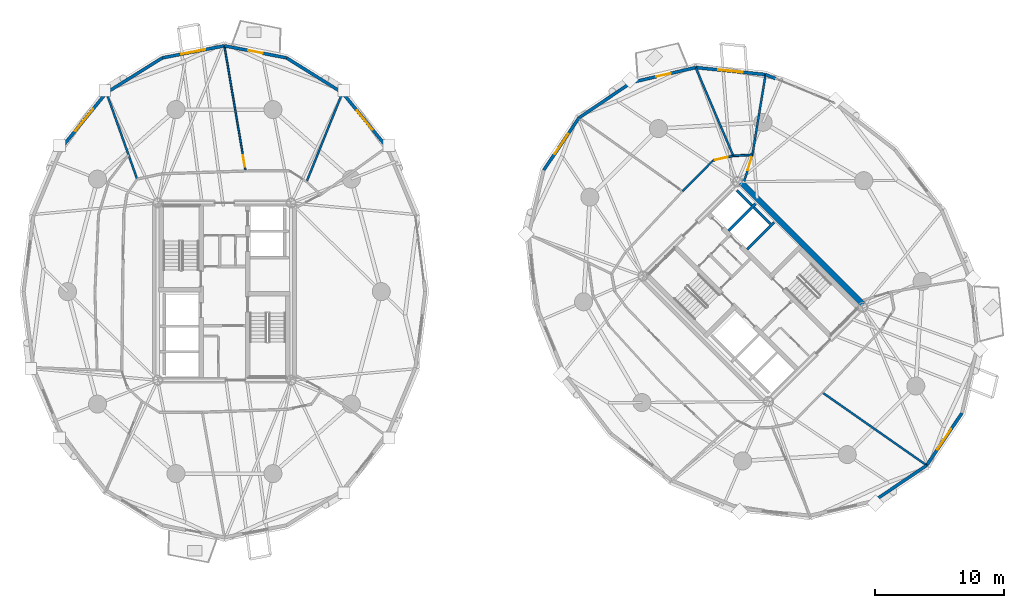
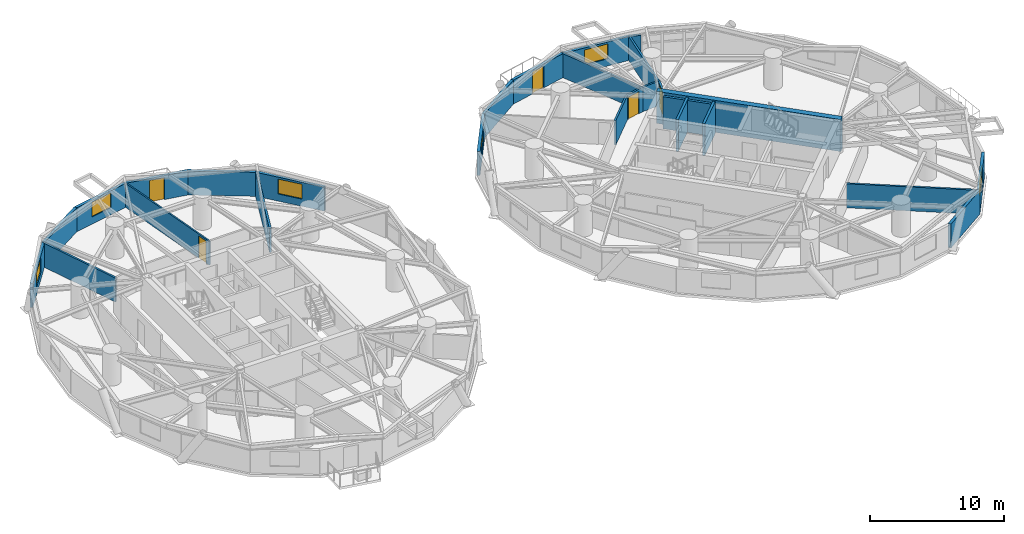
# One storey, part 14 of 18: 28 walls, 6 windows, 5 doors, 11 openings.
"""IFC4 building model written with IfcOpenShell, lengths in metres."""

from ifc_helpers import new_model, si_unit, direction, frame, frame_2d, origin, place, context, subcontext, project, spatial, rectangle, extrude, source, transform, mapped, material, layer, layer_set, type_object, element, fill, save


model = new_model("IFC4")

# Units and contexts
model_context = context("Model", 3, precision=1e-05, world=origin(), true_north=direction((0.0, 1.0)))
body_context = subcontext(model_context, "Body", "Model", "MODEL_VIEW")
ifc_project = project(units=[si_unit("LENGTHUNIT", "METRE"), si_unit("AREAUNIT", "SQUARE_METRE"), si_unit("VOLUMEUNIT", "CUBIC_METRE"), si_unit("PLANEANGLEUNIT", "RADIAN"), si_unit("MASSUNIT", "GRAM", prefix="KILO")], contexts=[model_context])

# Site, building, storey
site_placement = place(None, origin())
site = spatial("IfcSite", under=ifc_project, at=site_placement, CompositionType="ELEMENT")
building_placement = place(site_placement, origin())
building = spatial("IfcBuilding", under=site, at=building_placement, Name="Cununo Teusaquillo Station Towers", CompositionType="ELEMENT")
storey_placement = place(building_placement, frame((0.0, 0.0, 119.6201171875)))
storey = spatial("IfcBuildingStorey", under=building, at=storey_placement, Name="L38", CompositionType="ELEMENT", Elevation=119.6201171875)

# Walls
ifc_material_1 = material(Name="Concrete C50/60", Category="concrete")
ifc_layer_1 = layer(ifc_material_1, 0.199951171875)
ifc_layer_set_1 = layer_set([ifc_layer_1], Name="Concrete C50/60")
wall_type_1 = type_object("IfcWallType", Name="WL-CORE-200", PredefinedType="SHEAR", material=ifc_layer_set_1)
wall_1_placement = place(storey_placement, frame((57.0615234375, 27.781005859375, 0.0), z_axis=(0.0, 0.0, 1.0), x_axis=(0.707106781187, 0.707106781187, 0.0)))
element("IfcWall", 1, at=wall_1_placement, inside=storey, type_object=wall_type_1, Name="L38 Tower B Low-Rise Lift Hoistway South Shear Wall", PredefinedType="SHEAR", context=body_context, shape_type="SweptSolid", body=[
    extrude(rectangle(XDim=2.969970703125, YDim=0.199951171875, at=frame_2d((1.48486328125, 0.0))), origin(), (0.0, 0.0, 1.0), 2.909912109375),
])
wall_2_placement = place(storey_placement, frame((55.615478515625, 29.22705078125, 0.0), z_axis=(0.0, 0.0, 1.0), x_axis=(0.707147878904, 0.70706568108, 0.0)))
element("IfcWall", 2, at=wall_2_placement, inside=storey, type_object=wall_type_1, Name="L38 Tower B Low-Rise Lift Hoistway Divider Shear Wall", PredefinedType="SHEAR", context=body_context, shape_type="SweptSolid", body=[
    extrude(rectangle(XDim=2.97021484375, YDim=0.199951171875, at=frame_2d((1.485107421875, 0.0))), origin(), (0.0, 0.0, 1.0), 2.909912109375),
])
wall_3_placement = place(storey_placement, frame((58.86474609375, 29.75390625, 0.0), z_axis=(0.0, 0.0, 1.0), x_axis=(-0.707174411312, 0.707039144592, 0.0)))
element("IfcWall", 3, at=wall_3_placement, inside=storey, type_object=wall_type_1, Name="L38 Tower B Low-Rise Lift 1 Shaft Rear Shear Wall", PredefinedType="SHEAR", context=body_context, shape_type="SweptSolid", body=[
    extrude(rectangle(XDim=1.804931640625, YDim=0.199951171875, at=frame_2d((0.90234375, 0.0))), origin(), (0.0, 0.0, 1.0), 2.909912109375),
])
wall_4_placement = place(storey_placement, frame((57.418701171875, 31.19970703125, 0.0), z_axis=(0.0, 0.0, 1.0), x_axis=(-0.707032117043, 0.707181437447, 0.0)))
element("IfcWall", 4, at=wall_4_placement, inside=storey, type_object=wall_type_1, Name="L38 Tower B Low-Rise Lift 2 Shaft Rear Shear Wall", PredefinedType="SHEAR", context=body_context, shape_type="SweptSolid", body=[
    extrude(rectangle(XDim=1.635009765625, YDim=0.199951171875, at=frame_2d((0.8173828125, 0.0))), origin(), (0.0, 0.0, 1.0), 2.909912109375),
])
ifc_material_2 = material(Name="Concrete C60/75", Category="concrete")
ifc_layer_2 = layer(ifc_material_2, 0.449951171875)
ifc_layer_set_2 = layer_set([ifc_layer_2], Name="Concrete C60/75")
wall_type_2 = type_object("IfcWallType", Name="WL-CORE-450", PredefinedType="SHEAR", material=ifc_layer_set_2)
wall_5_placement = place(storey_placement, frame((66.303466796875, 23.2626953125, 0.0), z_axis=(0.0, 0.0, 1.0), x_axis=(-0.707106781187, 0.707106781187, 0.0)))
element("IfcWall", 5, at=wall_5_placement, inside=storey, type_object=wall_type_2, Name="L38 Tower B Core Shear Wall E", PredefinedType="SHEAR", context=body_context, shape_type="SweptSolid", body=[
    extrude(rectangle(XDim=14.19970703125, YDim=0.449951171875, at=frame_2d((7.099853515625, 0.0))), origin(), (0.0, 0.0, 1.0), 2.909912109375),
])

# Wall, opening, window
ifc_material_3 = material(Name="Precast concrete C40/50", Category="concrete")
ifc_layer_3 = layer(ifc_material_3, 0.239990234375)
ifc_layer_set_3 = layer_set([ifc_layer_3], Name="Precast concrete C40/50")
wall_type_3 = type_object("IfcWallType", Name="WL-EXT-240", PredefinedType="SOLIDWALL", material=ifc_layer_set_3)
wall_6_placement = place(storey_placement, frame((25.658203125, 39.927978515625, 0.0), z_axis=(0.0, 0.0, 1.0), x_axis=(0.632700781152, -0.77439635945, 0.0)))
wall_6 = element("IfcWall", 6, at=wall_6_placement, inside=storey, type_object=wall_type_3, Name="L38 Tower A Exterior Facade Wall C02", PredefinedType="SOLIDWALL", context=body_context, shape_type="SweptSolid", body=[
    extrude(rectangle(XDim=5.447998046875, YDim=0.239990234375, at=frame_2d((2.72412109375, 0.0))), origin(), (0.0, 0.0, 1.0), 2.178955078125),
])
shared_shape_1 = source(origin(), body_context, "Body", "SweptSolid", [
    extrude(rectangle(XDim=1.89990234375, YDim=1.35009765625, at=frame_2d((0.949951171875, 0.675048828125))), frame((0.0, 0.1298828125, 0.0), z_axis=(0.0, -1.0, 0.0), x_axis=(1.0, 0.0, 0.0)), (0.0, 0.0, 1.0), 0.260009765625),
])
opening_1_placement = place(wall_6_placement, frame((1.77392578125, 0.0, 0.64990234375)))
opening_1 = element("IfcOpeningElement", 7, at=opening_1_placement, cuts=wall_6, Name="Opening WN-02", PredefinedType="OPENING", context=body_context, shape_type="MappedRepresentation", body=[
    mapped(shared_shape_1, transform((0.0, 0.0, 0.0), x_axis=(1.0, 0.0, 0.0), y_axis=(0.0, 1.0, 0.0), z_axis=(0.0, 0.0, 1.0), scale=1.0)),
])
ifc_material_4 = material(Name="Operable acoustic tinted low-E double glazing", Category="glass")
window_type_1 = type_object("IfcWindowType", Name="WIN-OPER-1900", PartitioningType="DOUBLE_PANEL_VERTICAL", PredefinedType="WINDOW", material=ifc_material_4)
shared_shape_2 = source(origin(), body_context, "Body", "SweptSolid", [
    extrude(rectangle(XDim=1.89990234375, YDim=1.35009765625, at=frame_2d((0.949951171875, 0.675048828125))), frame((0.0, 0.030029296875, 0.0), z_axis=(0.0, -1.0, 0.0), x_axis=(1.0, 0.0, 0.0)), (0.0, 0.0, 1.0), 0.06005859375),
])
window_1_placement = place(opening_1_placement, origin())
window_1 = element("IfcWindow", 8, at=window_1_placement, inside=storey, type_object=window_type_1, Name="L38 Tower A Facade Window C02", OverallHeight=1.35009765625, OverallWidth=1.89990234375, PartitioningType="DOUBLE_PANEL_VERTICAL", PredefinedType="WINDOW", context=body_context, shape_type="MappedRepresentation", body=[
    mapped(shared_shape_2, transform((0.0, 0.0, 0.0), x_axis=(1.0, 0.0, 0.0), y_axis=(0.0, 1.0, 0.0), z_axis=(0.0, 0.0, 1.0), scale=1.0)),
])
fill(opening_1, window_1)

# Wall
wall_7_placement = place(storey_placement, frame((21.314697265625, 42.63671875, 0.0), z_axis=(0.0, 0.0, 1.0), x_axis=(0.848520380187, -0.529162701263, 0.0)))
element("IfcWall", 9, at=wall_7_placement, inside=storey, type_object=wall_type_3, Name="L38 Tower A Exterior Facade Wall C03", PredefinedType="SOLIDWALL", context=body_context, shape_type="SweptSolid", body=[
    extrude(rectangle(XDim=5.118896484375, YDim=0.239990234375, at=frame_2d((2.5595703125, 0.0))), origin(), (0.0, 0.0, 1.0), 2.178955078125),
])

# Wall, opening, door
wall_8_placement = place(storey_placement, frame((16.5, 43.570068359375, 0.0), z_axis=(0.0, 0.0, 1.0), x_axis=(0.981723785992, -0.190311344954, 0.0)))
wall_8 = element("IfcWall", 10, at=wall_8_placement, inside=storey, type_object=wall_type_3, Name="L38 Tower A Exterior Facade Wall C04", PredefinedType="SOLIDWALL", context=body_context, shape_type="SweptSolid", body=[
    extrude(rectangle(XDim=4.904296875, YDim=0.239990234375, at=frame_2d((2.4521484375, 0.0))), origin(), (0.0, 0.0, 1.0), 2.178955078125),
])
shared_shape_3 = source(origin(), body_context, "Body", "SweptSolid", [
    extrude(rectangle(XDim=1.14990234375, YDim=2.0048828125, at=frame_2d((0.574951171875, 1.00244140625))), frame((0.0, 0.1298828125, 0.0), z_axis=(0.0, -1.0, 0.0), x_axis=(1.0, 0.0, 0.0)), (0.0, 0.0, 1.0), 0.260009765625),
])
opening_2_placement = place(wall_8_placement, frame((1.876953125, 0.0, 0.0)))
opening_2 = element("IfcOpeningElement", 11, at=opening_2_placement, cuts=wall_8, Name="Opening ED-03", PredefinedType="OPENING", context=body_context, shape_type="MappedRepresentation", body=[
    mapped(shared_shape_3, transform((0.0, 0.0, 0.0), x_axis=(1.0, 0.0, 0.0), y_axis=(0.0, 1.0, 0.0), z_axis=(0.0, 0.0, 1.0), scale=1.0)),
])
ifc_material_5 = material(Name="Anodised dark bronze aluminium EN AW-6063-T6", Category="aluminium")
door_type_1 = type_object("IfcDoorType", Name="DR-EXT-BAL", OperationType="NOTDEFINED", PredefinedType="DOOR", material=ifc_material_5)
shared_shape_4 = source(origin(), body_context, "Body", "SweptSolid", [
    extrude(rectangle(XDim=1.14990234375, YDim=2.0048828125, at=frame_2d((0.574951171875, 1.00244140625))), frame((0.0, 0.02490234375, 0.0), z_axis=(0.0, -1.0, 0.0), x_axis=(1.0, 0.0, 0.0)), (0.0, 0.0, 1.0), 0.050048828125),
])
door_1_placement = place(opening_2_placement, origin())
door_1 = element("IfcDoor", 12, at=door_1_placement, inside=storey, type_object=door_type_1, Name="L38 Tower A Tree Balcony Door C04", OperationType="SINGLE_SWING_LEFT", OverallHeight=2.0048828125, OverallWidth=1.14990234375, PredefinedType="DOOR", context=body_context, shape_type="MappedRepresentation", body=[
    mapped(shared_shape_4, transform((0.0, 0.0, 0.0), x_axis=(1.0, 0.0, 0.0), y_axis=(0.0, 1.0, 0.0), z_axis=(0.0, 0.0, 1.0), scale=1.0)),
])
fill(opening_2, door_1)

# Wall, opening, window
wall_9_placement = place(storey_placement, frame((11.685302734375, 42.63671875, 0.0), z_axis=(0.0, 0.0, 1.0), x_axis=(0.981723785992, 0.190311344954, 0.0)))
wall_9 = element("IfcWall", 13, at=wall_9_placement, inside=storey, type_object=wall_type_3, Name="L38 Tower A Exterior Facade Wall C05", PredefinedType="SOLIDWALL", context=body_context, shape_type="SweptSolid", body=[
    extrude(rectangle(XDim=4.904296875, YDim=0.239990234375, at=frame_2d((2.4521484375, 0.0))), origin(), (0.0, 0.0, 1.0), 2.178955078125),
])
opening_3_placement = place(wall_9_placement, frame((1.501953125, 0.0, 0.64990234375)))
opening_3 = element("IfcOpeningElement", 14, at=opening_3_placement, cuts=wall_9, Name="Opening WN-02", PredefinedType="OPENING", context=body_context, shape_type="MappedRepresentation", body=[
    mapped(shared_shape_1, transform((0.0, 0.0, 0.0), x_axis=(1.0, 0.0, 0.0), y_axis=(0.0, 1.0, 0.0), z_axis=(0.0, 0.0, 1.0), scale=1.0)),
])
window_2_placement = place(opening_3_placement, origin())
window_2 = element("IfcWindow", 15, at=window_2_placement, inside=storey, type_object=window_type_1, Name="L38 Tower A Facade Window C05", OverallHeight=1.35009765625, OverallWidth=1.89990234375, PartitioningType="DOUBLE_PANEL_VERTICAL", PredefinedType="WINDOW", context=body_context, shape_type="MappedRepresentation", body=[
    mapped(shared_shape_2, transform((0.0, 0.0, 0.0), x_axis=(1.0, 0.0, 0.0), y_axis=(0.0, 1.0, 0.0), z_axis=(0.0, 0.0, 1.0), scale=1.0)),
])
fill(opening_3, window_2)

# Wall
wall_10_placement = place(storey_placement, frame((7.341796875, 39.927978515625, 0.0), z_axis=(0.0, 0.0, 1.0), x_axis=(0.848520380187, 0.529162701263, 0.0)))
element("IfcWall", 16, at=wall_10_placement, inside=storey, type_object=wall_type_3, Name="L38 Tower A Exterior Facade Wall C06", PredefinedType="SOLIDWALL", context=body_context, shape_type="SweptSolid", body=[
    extrude(rectangle(XDim=5.118896484375, YDim=0.239990234375, at=frame_2d((2.5595703125, 0.0))), origin(), (0.0, 0.0, 1.0), 2.178955078125),
])

# Wall, opening, window
wall_11_placement = place(storey_placement, frame((3.894775390625, 35.708984375, 0.0), z_axis=(0.0, 0.0, 1.0), x_axis=(0.632700781152, 0.77439635945, 0.0)))
wall_11 = element("IfcWall", 17, at=wall_11_placement, inside=storey, type_object=wall_type_3, Name="L38 Tower A Exterior Facade Wall C07", PredefinedType="SOLIDWALL", context=body_context, shape_type="SweptSolid", body=[
    extrude(rectangle(XDim=5.447998046875, YDim=0.239990234375, at=frame_2d((2.72412109375, 0.0))), origin(), (0.0, 0.0, 1.0), 2.178955078125),
])
shared_shape_5 = source(origin(), body_context, "Body", "SweptSolid", [
    extrude(rectangle(XDim=2.199951171875, YDim=1.35009765625, at=frame_2d((1.10009765625, 0.675048828125))), frame((0.0, 0.1298828125, 0.0), z_axis=(0.0, -1.0, 0.0), x_axis=(1.0, 0.0, 0.0)), (0.0, 0.0, 1.0), 0.260009765625),
])
opening_4_placement = place(wall_11_placement, frame((1.6240234375, 0.0, 0.64990234375)))
opening_4 = element("IfcOpeningElement", 18, at=opening_4_placement, cuts=wall_11, Name="Opening WN-01", PredefinedType="OPENING", context=body_context, shape_type="MappedRepresentation", body=[
    mapped(shared_shape_5, transform((0.0, 0.0, 0.0), x_axis=(1.0, 0.0, 0.0), y_axis=(0.0, 1.0, 0.0), z_axis=(0.0, 0.0, 1.0), scale=1.0)),
])
ifc_material_6 = material(Name="Ceramic-fritted dark low-E double glazing", Category="glass")
window_type_2 = type_object("IfcWindowType", Name="WIN-FRIT-2200", PartitioningType="DOUBLE_PANEL_VERTICAL", PredefinedType="WINDOW", material=ifc_material_6)
shared_shape_6 = source(origin(), body_context, "Body", "SweptSolid", [
    extrude(rectangle(XDim=2.199951171875, YDim=1.35009765625, at=frame_2d((1.10009765625, 0.675048828125))), frame((0.0, 0.030029296875, 0.0), z_axis=(0.0, -1.0, 0.0), x_axis=(1.0, 0.0, 0.0)), (0.0, 0.0, 1.0), 0.06005859375),
])
window_3_placement = place(opening_4_placement, origin())
window_3 = element("IfcWindow", 19, at=window_3_placement, inside=storey, type_object=window_type_2, Name="L38 Tower A Facade Window C07", OverallHeight=1.35009765625, OverallWidth=2.199951171875, PartitioningType="DOUBLE_PANEL_VERTICAL", PredefinedType="WINDOW", context=body_context, shape_type="MappedRepresentation", body=[
    mapped(shared_shape_6, transform((0.0, 0.0, 0.0), x_axis=(1.0, 0.0, 0.0), y_axis=(0.0, 1.0, 0.0), z_axis=(0.0, 0.0, 1.0), scale=1.0)),
])
fill(opening_4, window_3)

# Wall
wall_12_placement = place(storey_placement, frame((58.4873046875, 41.33935546875, 0.0), z_axis=(0.0, 0.0, 1.0), x_axis=(0.924556017656, -0.381046152345, 0.0)))
element("IfcWall", 20, at=wall_12_placement, inside=storey, type_object=wall_type_3, Name="L38 Tower B Column Pier Cladding Wall C01-PA", PredefinedType="SOLIDWALL", context=body_context, shape_type="SweptSolid", body=[
    extrude(rectangle(XDim=0.8701171875, YDim=0.239990234375, at=frame_2d((0.43505859375, 0.0))), origin(), (0.0, 0.0, 1.0), 2.178955078125),
])

# Wall, opening, window
wall_13_placement = place(storey_placement, frame((53.066650390625, 41.885009765625, 0.0), z_axis=(0.0, 0.0, 1.0), x_axis=(0.994971754311, -0.10015591906, 0.0)))
wall_13 = element("IfcWall", 21, at=wall_13_placement, inside=storey, type_object=wall_type_3, Name="L38 Tower B Exterior Facade Wall C02", PredefinedType="SOLIDWALL", context=body_context, shape_type="SweptSolid", body=[
    extrude(rectangle(XDim=5.447998046875, YDim=0.239990234375, at=frame_2d((2.72412109375, 0.0))), origin(), (0.0, 0.0, 1.0), 2.178955078125),
])
opening_5_placement = place(wall_13_placement, frame((1.77392578125, 0.0, 0.64990234375)))
opening_5 = element("IfcOpeningElement", 22, at=opening_5_placement, cuts=wall_13, Name="Opening WN-02", PredefinedType="OPENING", context=body_context, shape_type="MappedRepresentation", body=[
    mapped(shared_shape_1, transform((0.0, 0.0, 0.0), x_axis=(1.0, 0.0, 0.0), y_axis=(0.0, 1.0, 0.0), z_axis=(0.0, 0.0, 1.0), scale=1.0)),
])
window_4_placement = place(opening_5_placement, origin())
window_4 = element("IfcWindow", 23, at=window_4_placement, inside=storey, type_object=window_type_1, Name="L38 Tower B Facade Window C02", OverallHeight=1.35009765625, OverallWidth=1.89990234375, PartitioningType="DOUBLE_PANEL_VERTICAL", PredefinedType="WINDOW", context=body_context, shape_type="MappedRepresentation", body=[
    mapped(shared_shape_2, transform((0.0, 0.0, 0.0), x_axis=(1.0, 0.0, 0.0), y_axis=(0.0, 1.0, 0.0), z_axis=(0.0, 0.0, 1.0), scale=1.0)),
])
fill(opening_5, window_4)

# Wall, opening, door
wall_14_placement = place(storey_placement, frame((48.080078125, 40.72900390625, 0.0), z_axis=(0.0, 0.0, 1.0), x_axis=(0.974165631126, 0.225834725257, 0.0)))
wall_14 = element("IfcWall", 24, at=wall_14_placement, inside=storey, type_object=wall_type_3, Name="L38 Tower B Exterior Facade Wall C03", PredefinedType="SOLIDWALL", context=body_context, shape_type="SweptSolid", body=[
    extrude(rectangle(XDim=5.118896484375, YDim=0.239990234375, at=frame_2d((2.5595703125, 0.0))), origin(), (0.0, 0.0, 1.0), 2.178955078125),
])
opening_6_placement = place(wall_14_placement, frame((1.98388671875, 0.0, 0.0)))
opening_6 = element("IfcOpeningElement", 25, at=opening_6_placement, cuts=wall_14, Name="Opening ED-03", PredefinedType="OPENING", context=body_context, shape_type="MappedRepresentation", body=[
    mapped(shared_shape_3, transform((0.0, 0.0, 0.0), x_axis=(1.0, 0.0, 0.0), y_axis=(0.0, 1.0, 0.0), z_axis=(0.0, 0.0, 1.0), scale=1.0)),
])
door_2_placement = place(opening_6_placement, origin())
door_2 = element("IfcDoor", 26, at=door_2_placement, inside=storey, type_object=door_type_1, Name="L38 Tower B Tree Balcony Door C03", OperationType="SINGLE_SWING_LEFT", OverallHeight=2.0048828125, OverallWidth=1.14990234375, PredefinedType="DOOR", context=body_context, shape_type="MappedRepresentation", body=[
    mapped(shared_shape_4, transform((0.0, 0.0, 0.0), x_axis=(1.0, 0.0, 0.0), y_axis=(0.0, 1.0, 0.0), z_axis=(0.0, 0.0, 1.0), scale=1.0)),
])
fill(opening_6, door_2)

# Wall
wall_15_placement = place(storey_placement, frame((44.015380859375, 37.984619140625, 0.0), z_axis=(0.0, 0.0, 1.0), x_axis=(0.828781148131, 0.559572880421, 0.0)))
element("IfcWall", 27, at=wall_15_placement, inside=storey, type_object=wall_type_3, Name="L38 Tower B Exterior Facade Wall C04", PredefinedType="SOLIDWALL", context=body_context, shape_type="SweptSolid", body=[
    extrude(rectangle(XDim=4.904541015625, YDim=0.239990234375, at=frame_2d((2.4521484375, 0.0))), origin(), (0.0, 0.0, 1.0), 2.178955078125),
])

# Wall, opening, window
wall_16_placement = place(storey_placement, frame((41.27099609375, 33.919921875, 0.0), z_axis=(0.0, 0.0, 1.0), x_axis=(0.559572880421, 0.828781148131, 0.0)))
wall_16 = element("IfcWall", 28, at=wall_16_placement, inside=storey, type_object=wall_type_3, Name="L38 Tower B Exterior Facade Wall C05", PredefinedType="SOLIDWALL", context=body_context, shape_type="SweptSolid", body=[
    extrude(rectangle(XDim=4.904541015625, YDim=0.239990234375, at=frame_2d((2.4521484375, 0.0))), origin(), (0.0, 0.0, 1.0), 2.178955078125),
])
opening_7_placement = place(wall_16_placement, frame((1.501953125, 0.0, 0.64990234375)))
opening_7 = element("IfcOpeningElement", 29, at=opening_7_placement, cuts=wall_16, Name="Opening WN-02", PredefinedType="OPENING", context=body_context, shape_type="MappedRepresentation", body=[
    mapped(shared_shape_1, transform((0.0, 0.0, 0.0), x_axis=(1.0, 0.0, 0.0), y_axis=(0.0, 1.0, 0.0), z_axis=(0.0, 0.0, 1.0), scale=1.0)),
])
window_5_placement = place(opening_7_placement, origin())
window_5 = element("IfcWindow", 30, at=window_5_placement, inside=storey, type_object=window_type_1, Name="L38 Tower B Facade Window C05", OverallHeight=1.35009765625, OverallWidth=1.89990234375, PartitioningType="DOUBLE_PANEL_VERTICAL", PredefinedType="WINDOW", context=body_context, shape_type="MappedRepresentation", body=[
    mapped(shared_shape_2, transform((0.0, 0.0, 0.0), x_axis=(1.0, 0.0, 0.0), y_axis=(0.0, 1.0, 0.0), z_axis=(0.0, 0.0, 1.0), scale=1.0)),
])
fill(opening_7, window_5)

# Wall
wall_17_placement = place(storey_placement, frame((70.984619140625, 11.015380859375, 0.0), z_axis=(0.0, 0.0, 1.0), x_axis=(-0.828781148131, -0.559572880421, 0.0)))
element("IfcWall", 31, at=wall_17_placement, inside=storey, type_object=wall_type_3, Name="L38 Tower B Exterior Facade Wall C14", PredefinedType="SOLIDWALL", context=body_context, shape_type="SweptSolid", body=[
    extrude(rectangle(XDim=4.904541015625, YDim=0.239990234375, at=frame_2d((2.4521484375, 0.0))), origin(), (0.0, 0.0, 1.0), 2.178955078125),
])

# Wall, opening, window
wall_18_placement = place(storey_placement, frame((73.72900390625, 15.080078125, 0.0), z_axis=(0.0, 0.0, 1.0), x_axis=(-0.559572880421, -0.828781148131, 0.0)))
wall_18 = element("IfcWall", 32, at=wall_18_placement, inside=storey, type_object=wall_type_3, Name="L38 Tower B Exterior Facade Wall C15", PredefinedType="SOLIDWALL", context=body_context, shape_type="SweptSolid", body=[
    extrude(rectangle(XDim=4.904541015625, YDim=0.239990234375, at=frame_2d((2.4521484375, 0.0))), origin(), (0.0, 0.0, 1.0), 2.178955078125),
])
opening_8_placement = place(wall_18_placement, frame((1.501953125, 0.0, 0.64990234375)))
opening_8 = element("IfcOpeningElement", 33, at=opening_8_placement, cuts=wall_18, Name="Opening WN-02", PredefinedType="OPENING", context=body_context, shape_type="MappedRepresentation", body=[
    mapped(shared_shape_1, transform((0.0, 0.0, 0.0), x_axis=(1.0, 0.0, 0.0), y_axis=(0.0, 1.0, 0.0), z_axis=(0.0, 0.0, 1.0), scale=1.0)),
])
window_6_placement = place(opening_8_placement, origin())
window_6 = element("IfcWindow", 34, at=window_6_placement, inside=storey, type_object=window_type_1, Name="L38 Tower B Facade Window C15", OverallHeight=1.35009765625, OverallWidth=1.89990234375, PartitioningType="DOUBLE_PANEL_VERTICAL", PredefinedType="WINDOW", context=body_context, shape_type="MappedRepresentation", body=[
    mapped(shared_shape_2, transform((0.0, 0.0, 0.0), x_axis=(1.0, 0.0, 0.0), y_axis=(0.0, 1.0, 0.0), z_axis=(0.0, 0.0, 1.0), scale=1.0)),
])
fill(opening_8, window_6)

# Wall, opening, door
ifc_material_7 = material(Name="Fire-rated gypsum plasterboard partition assembly", Category="gypsum")
ifc_layer_4 = layer(ifc_material_7, 0.125)
ifc_layer_set_4 = layer_set([ifc_layer_4], Name="Fire-rated gypsum plasterboard partition assembly")
wall_type_4 = type_object("IfcWallType", Name="WL-PART-125", PredefinedType="PARTITIONING", material=ifc_layer_set_4)
wall_19_placement = place(storey_placement, frame((18.142822265625, 33.859619140625, 0.0), z_axis=(0.0, 0.0, 1.0), x_axis=(-0.167145472003, 0.985932244725, 0.0)))
wall_19 = element("IfcWall", 35, at=wall_19_placement, inside=storey, type_object=wall_type_4, Name="L38 Tower A Executive C-Suite Corner Office Suite Subdividing Wall", PredefinedType="PARTITIONING", context=body_context, shape_type="SweptSolid", body=[
    extrude(rectangle(XDim=9.82861328125, YDim=0.125, at=frame_2d((4.914306640625, 0.0))), origin(), (0.0, 0.0, 1.0), 2.178955078125),
])
shared_shape_7 = source(origin(), body_context, "Body", "SweptSolid", [
    extrude(rectangle(XDim=0.89990234375, YDim=2.0048828125, at=frame_2d((0.449951171875, 1.00244140625))), frame((0.0, 0.072509765625, 0.0), z_axis=(0.0, -1.0, 0.0), x_axis=(1.0, 0.0, 0.0)), (0.0, 0.0, 1.0), 0.14501953125),
])
opening_9_placement = place(wall_19_placement, frame((0.330078125, 0.0, 0.0)))
opening_9 = element("IfcOpeningElement", 36, at=opening_9_placement, cuts=wall_19, Name="Opening D-IN1", PredefinedType="OPENING", context=body_context, shape_type="MappedRepresentation", body=[
    mapped(shared_shape_7, transform((0.0, 0.0, 0.0), x_axis=(1.0, 0.0, 0.0), y_axis=(0.0, 1.0, 0.0), z_axis=(0.0, 0.0, 1.0), scale=1.0)),
])
ifc_material_8 = material(Name="Acoustic solid-core hardwood leaf assembly", Category="wood")
door_type_2 = type_object("IfcDoorType", Name="DR-INT-900", OperationType="NOTDEFINED", PredefinedType="DOOR", material=ifc_material_8)
shared_shape_8 = source(origin(), body_context, "Body", "SweptSolid", [
    extrude(rectangle(XDim=0.89990234375, YDim=2.0048828125, at=frame_2d((0.449951171875, 1.00244140625))), frame((0.0, 0.02490234375, 0.0), z_axis=(0.0, -1.0, 0.0), x_axis=(1.0, 0.0, 0.0)), (0.0, 0.0, 1.0), 0.050048828125),
])
door_3_placement = place(opening_9_placement, origin())
door_3 = element("IfcDoor", 37, at=door_3_placement, inside=storey, type_object=door_type_2, Name="L38 Tower A Executive C-Suite Corner Office Suite Connecting Door", OperationType="SINGLE_SWING_RIGHT", OverallHeight=2.0048828125, OverallWidth=0.89990234375, PredefinedType="DOOR", context=body_context, shape_type="MappedRepresentation", body=[
    mapped(shared_shape_8, transform((0.0, 0.0, 0.0), x_axis=(1.0, 0.0, 0.0), y_axis=(0.0, 1.0, 0.0), z_axis=(0.0, 0.0, 1.0), scale=1.0)),
])
fill(opening_9, door_3)

# Wall
ifc_material_9 = material(Name="Fire-rated gypsum plasterboard partition assembly", Category="gypsum")
ifc_layer_5 = layer(ifc_material_9, 0.14990234375)
ifc_layer_set_5 = layer_set([ifc_layer_5], Name="Fire-rated gypsum plasterboard partition assembly")
wall_type_5 = type_object("IfcWallType", Name="WL-PART-150", PredefinedType="PARTITIONING", material=ifc_layer_set_5)
wall_20_placement = place(storey_placement, frame((57.466796875, 35.111328125, 0.0), z_axis=(0.0, 0.0, 1.0), x_axis=(-0.998691757323, -0.051134859488, 0.0)))
element("IfcWall", 38, at=wall_20_placement, inside=storey, type_object=wall_type_5, Name="L38 Tower B Corridor Ring Wall C02", PredefinedType="PARTITIONING", context=body_context, shape_type="SweptSolid", body=[
    extrude(rectangle(XDim=1.48486328125, YDim=0.14990234375, at=frame_2d((0.742431640625, 0.0))), origin(), (0.0, 0.0, 1.0), 2.224853515625),
])

# Wall, opening, door
wall_21_placement = place(storey_placement, frame((55.98388671875, 35.035400390625, 0.0), z_axis=(0.0, 0.0, 1.0), x_axis=(-0.975290305708, -0.22092718165, 0.0)))
wall_21 = element("IfcWall", 39, at=wall_21_placement, inside=storey, type_object=wall_type_5, Name="L38 Tower B Corridor Ring Wall C03", PredefinedType="PARTITIONING", context=body_context, shape_type="SweptSolid", body=[
    extrude(rectangle(XDim=1.596923828125, YDim=0.14990234375, at=frame_2d((0.79833984375, 0.0))), origin(), (0.0, 0.0, 1.0), 2.224853515625),
])
shared_shape_9 = source(origin(), body_context, "Body", "SweptSolid", [
    extrude(rectangle(XDim=1.050048828125, YDim=2.014892578125, at=frame_2d((0.52490234375, 1.00732421875))), frame((0.0, 0.0849609375, 0.0), z_axis=(0.0, -1.0, 0.0), x_axis=(1.0, 0.0, 0.0)), (0.0, 0.0, 1.0), 0.169921875),
])
opening_10_placement = place(wall_21_placement, frame((0.4267578125, 0.0, 0.0)))
opening_10 = element("IfcOpeningElement", 40, at=opening_10_placement, cuts=wall_21, Name="Opening D-SU1", PredefinedType="OPENING", context=body_context, shape_type="MappedRepresentation", body=[
    mapped(shared_shape_9, transform((0.0, 0.0, 0.0), x_axis=(1.0, 0.0, 0.0), y_axis=(0.0, 1.0, 0.0), z_axis=(0.0, 0.0, 1.0), scale=1.0)),
])
ifc_material_10 = material(Name="Acoustic solid-core hardwood leaf assembly", Category="wood")
door_type_3 = type_object("IfcDoorType", Name="DR-SUITE-1050", OperationType="NOTDEFINED", PredefinedType="DOOR", material=ifc_material_10)
shared_shape_10 = source(origin(), body_context, "Body", "SweptSolid", [
    extrude(rectangle(XDim=1.050048828125, YDim=2.014892578125, at=frame_2d((0.52490234375, 1.00732421875))), frame((0.0, 0.02490234375, 0.0), z_axis=(0.0, -1.0, 0.0), x_axis=(1.0, 0.0, 0.0)), (0.0, 0.0, 1.0), 0.050048828125),
])
door_4_placement = place(opening_10_placement, origin())
door_4 = element("IfcDoor", 41, at=door_4_placement, inside=storey, type_object=door_type_3, Name="L38 Tower B Executive C-Suite Corner Office Entrance Door", OperationType="SINGLE_SWING_LEFT", OverallHeight=2.014892578125, OverallWidth=1.050048828125, PredefinedType="DOOR", context=body_context, shape_type="MappedRepresentation", body=[
    mapped(shared_shape_10, transform((0.0, 0.0, 0.0), x_axis=(1.0, 0.0, 0.0), y_axis=(0.0, 1.0, 0.0), z_axis=(0.0, 0.0, 1.0), scale=1.0)),
])
fill(opening_10, door_4)

# Walls
wall_22_placement = place(storey_placement, frame((54.426513671875, 34.6826171875, 0.0), z_axis=(0.0, 0.0, 1.0), x_axis=(-0.704178989986, -0.710022499687, 0.0)))
element("IfcWall", 42, at=wall_22_placement, inside=storey, type_object=wall_type_5, Name="L38 Tower B Corridor Ring Wall C04", PredefinedType="PARTITIONING", context=body_context, shape_type="SweptSolid", body=[
    extrude(rectangle(XDim=3.38427734375, YDim=0.14990234375, at=frame_2d((1.692138671875, 0.0))), origin(), (0.0, 0.0, 1.0), 2.224853515625),
])
ifc_material_11 = material(Name="Fire-rated gypsum plasterboard partition assembly", Category="gypsum")
ifc_layer_6 = layer(ifc_material_11, 0.159912109375)
ifc_layer_set_6 = layer_set([ifc_layer_6], Name="Fire-rated gypsum plasterboard partition assembly")
wall_type_6 = type_object("IfcWallType", Name="WL-PART-160", PredefinedType="PARTITIONING", material=ifc_layer_set_6)
wall_23_placement = place(storey_placement, frame((22.87744140625, 33.021728515625, 0.0), z_axis=(0.0, 0.0, 1.0), x_axis=(0.372898022516, 0.927872332168, 0.0)))
element("IfcWall", 43, at=wall_23_placement, inside=storey, type_object=wall_type_6, Name="L38 Tower A Radial Suite Partition R02", PredefinedType="PARTITIONING", context=body_context, shape_type="SweptSolid", body=[
    extrude(rectangle(XDim=7.42578125, YDim=0.159912109375, at=frame_2d((3.712890625, 0.0))), origin(), (0.0, 0.0, 1.0), 2.178955078125),
])
wall_24_placement = place(storey_placement, frame((9.7294921875, 33.224853515625, 0.0), z_axis=(0.0, 0.0, 1.0), x_axis=(-0.334806049563, 0.942287063042, 0.0)))
element("IfcWall", 44, at=wall_24_placement, inside=storey, type_object=wall_type_6, Name="L38 Tower A Radial Suite Partition R03", PredefinedType="PARTITIONING", context=body_context, shape_type="SweptSolid", body=[
    extrude(rectangle(XDim=7.0966796875, YDim=0.159912109375, at=frame_2d((3.54833984375, 0.0))), origin(), (0.0, 0.0, 1.0), 2.178955078125),
])
wall_25_placement = place(storey_placement, frame((57.466796875, 35.111328125, 0.0), z_axis=(0.0, 0.0, 1.0), x_axis=(0.161711214096, 0.98683812413, 0.0)))
element("IfcWall", 45, at=wall_25_placement, inside=storey, type_object=wall_type_6, Name="L38 Tower B Radial Suite Partition R01", PredefinedType="PARTITIONING", context=body_context, shape_type="SweptSolid", body=[
    extrude(rectangle(XDim=6.291015625, YDim=0.159912109375, at=frame_2d((3.1455078125, 0.0))), origin(), (0.0, 0.0, 1.0), 2.178955078125),
])
wall_26_placement = place(storey_placement, frame((55.98388671875, 35.035400390625, 0.0), z_axis=(0.0, 0.0, 1.0), x_axis=(-0.392438685048, 0.919778168081, 0.0)))
element("IfcWall", 46, at=wall_26_placement, inside=storey, type_object=wall_type_6, Name="L38 Tower B Radial Suite Partition R02", PredefinedType="PARTITIONING", context=body_context, shape_type="SweptSolid", body=[
    extrude(rectangle(XDim=7.425537109375, YDim=0.159912109375, at=frame_2d((3.712890625, 0.0))), origin(), (0.0, 0.0, 1.0), 2.178955078125),
])
wall_27_placement = place(storey_placement, frame((62.902587890625, 16.66650390625, 0.0), z_axis=(0.0, 0.0, 1.0), x_axis=(0.819735047612, -0.572742919395, 0.0)))
element("IfcWall", 47, at=wall_27_placement, inside=storey, type_object=wall_type_6, Name="L38 Tower B Radial Suite Partition R05", PredefinedType="PARTITIONING", context=body_context, shape_type="SweptSolid", body=[
    extrude(rectangle(XDim=9.842041015625, YDim=0.159912109375, at=frame_2d((4.9208984375, 0.0))), origin(), (0.0, 0.0, 1.0), 2.178955078125),
])

# Wall, opening, door
wall_28_placement = place(storey_placement, frame((56.828125, 33.055908203125, 0.0), z_axis=(0.0, 0.0, 1.0), x_axis=(0.296730996083, 0.954961107042, 0.0)))
wall_28 = element("IfcWall", 48, at=wall_28_placement, inside=storey, type_object=wall_type_6, Name="L38 Tower B East Salon Corridor Portal Wall NE", PredefinedType="PARTITIONING", context=body_context, shape_type="SweptSolid", body=[
    extrude(rectangle(XDim=2.15234375, YDim=0.159912109375, at=frame_2d((1.076171875, 0.0))), origin(), (0.0, 0.0, 1.0), 2.224853515625),
])
shared_shape_11 = source(origin(), body_context, "Body", "SweptSolid", [
    extrude(rectangle(XDim=1.050048828125, YDim=2.014892578125, at=frame_2d((0.52490234375, 1.00732421875))), frame((0.0, 0.08984375, 0.0), z_axis=(0.0, -1.0, 0.0), x_axis=(1.0, 0.0, 0.0)), (0.0, 0.0, 1.0), 0.179931640625),
])
opening_11_placement = place(wall_28_placement, frame((0.902099609375, 0.0, 0.0)))
opening_11 = element("IfcOpeningElement", 49, at=opening_11_placement, cuts=wall_28, Name="Opening D-SU1", PredefinedType="OPENING", context=body_context, shape_type="MappedRepresentation", body=[
    mapped(shared_shape_11, transform((0.0, 0.0, 0.0), x_axis=(1.0, 0.0, 0.0), y_axis=(0.0, 1.0, 0.0), z_axis=(0.0, 0.0, 1.0), scale=1.0)),
])
door_5_placement = place(opening_11_placement, origin())
door_5 = element("IfcDoor", 50, at=door_5_placement, inside=storey, type_object=door_type_3, Name="L38 Tower B East Panorama Sky Salon Door NE", OperationType="SINGLE_SWING_LEFT", OverallHeight=2.014892578125, OverallWidth=1.050048828125, PredefinedType="DOOR", context=body_context, shape_type="MappedRepresentation", body=[
    mapped(shared_shape_10, transform((0.0, 0.0, 0.0), x_axis=(1.0, 0.0, 0.0), y_axis=(0.0, 1.0, 0.0), z_axis=(0.0, 0.0, 1.0), scale=1.0)),
])
fill(opening_11, door_5)

save(model, "model.ifc")
